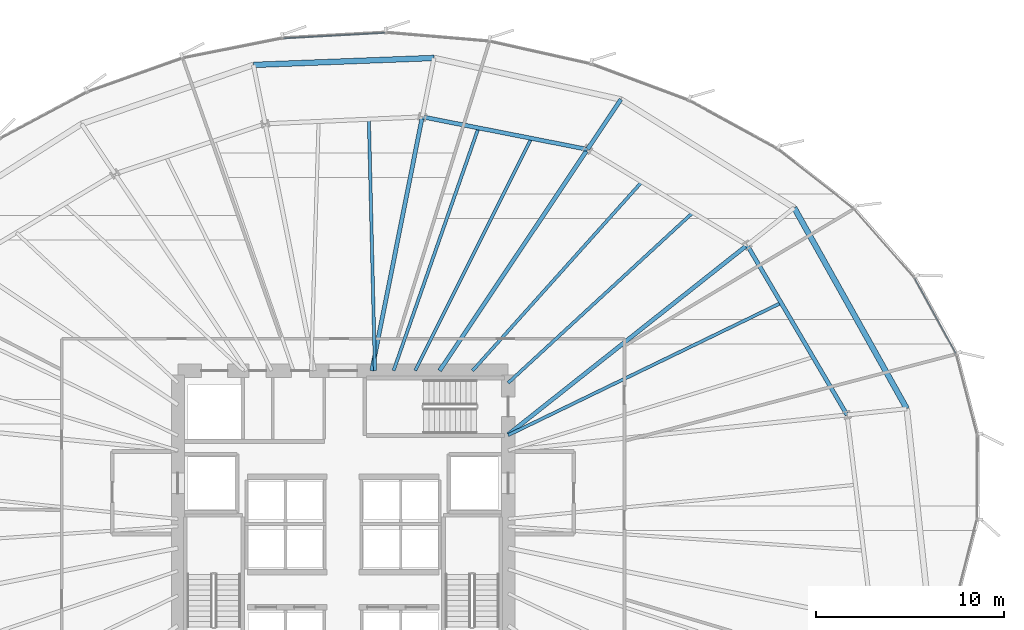
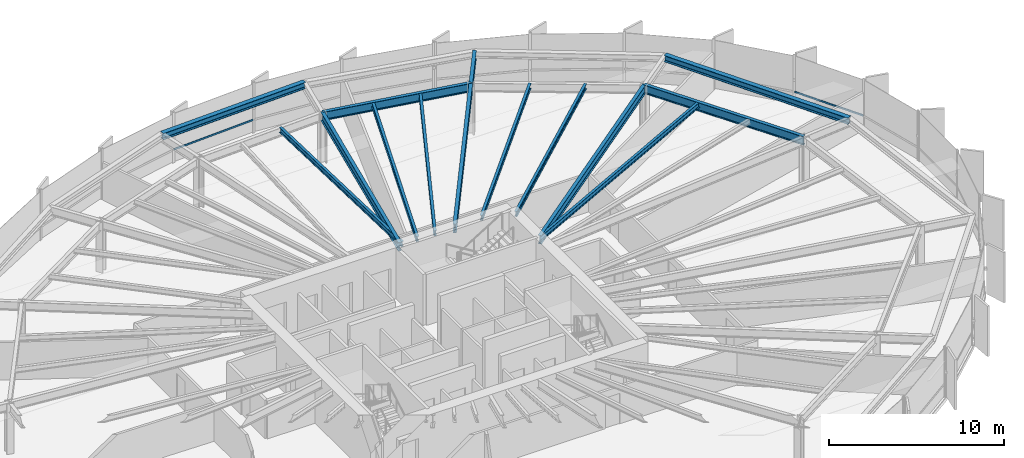
# One storey, part 22 of 37: 14 beams, 2 members, 2 elements without a shape of their own.
"""IFC4 building model written with IfcOpenShell, lengths in metres."""

from ifc_helpers import new_model, si_unit, direction, frame, origin, origin_2d, place, context, subcontext, project, spatial, hollow_rectangle, i_section, extrude, source, transform, mapped, material, layer, layer_set, material_profile, profile_set, type_object, element, aggregate, save


model = new_model("IFC4")

# Units and contexts
model_context = context("Model", 3, precision=1e-05, world=origin(), true_north=direction((0.0, 1.0)))
body_context = subcontext(model_context, "Body", "Model", "MODEL_VIEW")
ifc_project = project(units=[si_unit("LENGTHUNIT", "METRE"), si_unit("AREAUNIT", "SQUARE_METRE"), si_unit("VOLUMEUNIT", "CUBIC_METRE"), si_unit("PLANEANGLEUNIT", "RADIAN"), si_unit("MASSUNIT", "GRAM", prefix="KILO"), si_unit("THERMODYNAMICTEMPERATUREUNIT", "KELVIN")], contexts=[model_context])

# Site, building, storey
site_placement = place(None, origin())
site = spatial("IfcSite", under=ifc_project, at=site_placement, CompositionType="ELEMENT")
building_placement = place(site_placement, origin())
building = spatial("IfcBuilding", under=site, at=building_placement, Name="Kethvar Cultural Tower", CompositionType="ELEMENT")
storey_placement = place(building_placement, frame((0.0, 0.0, 60.0)))
storey = spatial("IfcBuildingStorey", under=building, at=storey_placement, Name="L14", CompositionType="ELEMENT", Elevation=60.0)

# Beams
ifc_material_1 = material(Name="Steel S355J2", Category="steel")
ifc_material_profile_1 = material_profile(ifc_material_1, i_section(OverallWidth=0.219970703125, OverallDepth=0.60009765625, WebThickness=0.011962890625, FlangeThickness=0.01904296875, FilletRadius=0.02392578125, at=origin_2d()), Name="Steel S355J2 — IPE600")
ifc_profile_set_1 = profile_set([ifc_material_profile_1], Name="Steel S355J2 — IPE600")
beam_type_1 = type_object("IfcBeamType", Name="BM-IPE600", PredefinedType="BEAM", material=ifc_profile_set_1)
shared_shape_1 = source(origin(), body_context, "Body", "SweptSolid", [
    extrude(i_section(OverallWidth=0.219970703125, OverallDepth=0.60009765625, WebThickness=0.011962890625, FlangeThickness=0.01904296875, FilletRadius=0.02392578125, at=origin_2d()), origin(), (0.0, 0.0, 1.0), 16.248779296875),
])
beam_1_placement = place(storey_placement, frame((55.60009765625, 32.10009765625, 3.248046875), z_axis=(0.783831288624, 0.620973840813, 0.0), x_axis=(-0.620973840813, 0.783831288624, 0.0)))
element("IfcBeam", 1, at=beam_1_placement, inside=storey, type_object=beam_type_1, Name="L14 Primary Radial Beam RB-02", PredefinedType="BEAM", context=body_context, shape_type="MappedRepresentation", body=[
    mapped(shared_shape_1, transform((0.0, 0.0, 0.0), scale=1.0)),
])
shared_shape_2 = source(origin(), body_context, "Body", "SweptSolid", [
    extrude(i_section(OverallWidth=0.219970703125, OverallDepth=0.60009765625, WebThickness=0.011962890625, FlangeThickness=0.01904296875, FilletRadius=0.02392578125, at=origin_2d()), origin(), (0.0, 0.0, 1.0), 14.18359375),
])
beam_2_placement = place(storey_placement, frame((51.945068359375, 35.5, 3.248046875), z_axis=(0.55556584065, 0.831472547174, 0.0), x_axis=(-0.831472547174, 0.55556584065, 0.0)))
element("IfcBeam", 2, at=beam_2_placement, inside=storey, type_object=beam_type_1, Name="L14 Primary Radial Beam RB-03", PredefinedType="BEAM", context=body_context, shape_type="MappedRepresentation", body=[
    mapped(shared_shape_2, transform((0.0, 0.0, 0.0), scale=1.0)),
])
shared_shape_3 = source(origin(), body_context, "Body", "SweptSolid", [
    extrude(i_section(OverallWidth=0.219970703125, OverallDepth=0.60009765625, WebThickness=0.011962890625, FlangeThickness=0.01904296875, FilletRadius=0.02392578125, at=origin_2d()), origin(), (0.0, 0.0, 1.0), 3.2001953125),
])
beam_3_placement = place(storey_placement, frame((59.824951171875, 47.293212890625, 3.248046875), z_axis=(0.555544970406, 0.831486491686, 0.0), x_axis=(-0.831486491686, 0.555544970406, 0.0)))
element("IfcBeam", 3, at=beam_3_placement, inside=storey, type_object=beam_type_1, Name="L14 Perimeter Cantilever Beam RC-03", PredefinedType="BEAM", context=body_context, shape_type="MappedRepresentation", body=[
    mapped(shared_shape_3, transform((0.0, 0.0, 0.0), scale=1.0)),
])
shared_shape_4 = source(origin(), body_context, "Body", "SweptSolid", [
    extrude(i_section(OverallWidth=0.219970703125, OverallDepth=0.60009765625, WebThickness=0.011962890625, FlangeThickness=0.01904296875, FilletRadius=0.02392578125, at=origin_2d()), origin(), (0.0, 0.0, 1.0), 13.791015625),
])
beam_4_placement = place(storey_placement, frame((48.33154296875, 35.5, 3.248046875), z_axis=(0.195104916429, 0.980782377281, 0.0), x_axis=(-0.980782377281, 0.195104916429, 0.0)))
element("IfcBeam", 4, at=beam_4_placement, inside=storey, type_object=beam_type_1, Name="L14 Primary Radial Beam RB-04", PredefinedType="BEAM", context=body_context, shape_type="MappedRepresentation", body=[
    mapped(shared_shape_4, transform((0.0, 0.0, 0.0), scale=1.0)),
])
shared_shape_5 = source(origin(), body_context, "Body", "SweptSolid", [
    extrude(i_section(OverallWidth=0.219970703125, OverallDepth=0.60009765625, WebThickness=0.011962890625, FlangeThickness=0.01904296875, FilletRadius=0.02392578125, at=origin_2d()), origin(), (0.0, 0.0, 1.0), 10.496337890625),
])
beam_5_placement = place(storey_placement, frame((73.65673828125, 33.14208984375, 3.248046875), z_axis=(-0.506871712474, 0.862021500366, 0.0), x_axis=(-0.862021500366, -0.506871712474, 0.0)))
element("IfcBeam", 5, at=beam_5_placement, inside=storey, type_object=beam_type_1, Name="L14 Column Ring Tie Beam CR-01", PredefinedType="BEAM", context=body_context, shape_type="MappedRepresentation", body=[
    mapped(shared_shape_5, transform((0.0, 0.0, 0.0), scale=1.0)),
])
ifc_material_profile_2 = material_profile(ifc_material_1, i_section(OverallWidth=0.169921875, OverallDepth=0.360107421875, WebThickness=0.008056640625, FlangeThickness=0.0126953125, FilletRadius=0.01806640625, at=origin_2d()), Name="Steel S355J2 — IPE360")
ifc_profile_set_2 = profile_set([ifc_material_profile_2], Name="Steel S355J2 — IPE360")
beam_type_2 = type_object("IfcBeamType", Name="BM-J360", PredefinedType="JOIST", material=ifc_profile_set_2)
shared_shape_6 = source(origin(), body_context, "Body", "SweptSolid", [
    extrude(i_section(OverallWidth=0.169921875, OverallDepth=0.360107421875, WebThickness=0.008056640625, FlangeThickness=0.0126953125, FilletRadius=0.01806640625, at=origin_2d()), origin(), (0.0, 0.0, 1.0), 16.163330078125),
])
beam_6_placement = place(storey_placement, frame((55.60009765625, 32.064697265625, 3.367919921875), z_axis=(0.899890099721, 0.436116737151, 0.0), x_axis=(-0.436116737151, 0.899890099721, 0.0)))
element("IfcBeam", 6, at=beam_6_placement, inside=storey, type_object=beam_type_2, Name="L14 Composite Floor Joist J-01B", PredefinedType="JOIST", context=body_context, shape_type="MappedRepresentation", body=[
    mapped(shared_shape_6, transform((0.0, 0.0, 0.0), scale=1.0)),
])
shared_shape_7 = source(origin(), body_context, "Body", "SweptSolid", [
    extrude(i_section(OverallWidth=0.169921875, OverallDepth=0.360107421875, WebThickness=0.008056640625, FlangeThickness=0.0126953125, FilletRadius=0.01806640625, at=origin_2d()), origin(), (0.0, 0.0, 1.0), 13.3876953125),
])
beam_7_placement = place(storey_placement, frame((55.60009765625, 34.85009765625, 3.367919921875), z_axis=(0.735175283276, 0.677877055859, 0.0), x_axis=(-0.677877055859, 0.735175283276, 0.0)))
element("IfcBeam", 7, at=beam_7_placement, inside=storey, type_object=beam_type_2, Name="L14 Composite Floor Joist J-02A", PredefinedType="JOIST", context=body_context, shape_type="MappedRepresentation", body=[
    mapped(shared_shape_7, transform((0.0, 0.0, 0.0), scale=1.0)),
])
shared_shape_8 = source(origin(), body_context, "Body", "SweptSolid", [
    extrude(i_section(OverallWidth=0.169921875, OverallDepth=0.360107421875, WebThickness=0.008056640625, FlangeThickness=0.0126953125, FilletRadius=0.01806640625, at=origin_2d()), origin(), (0.0, 0.0, 1.0), 13.508056640625),
])
beam_8_placement = place(storey_placement, frame((53.702392578125, 35.5, 3.367919921875), z_axis=(0.667503553274, 0.744606611821, 0.0), x_axis=(-0.744606611821, 0.667503553274, 0.0)))
element("IfcBeam", 8, at=beam_8_placement, inside=storey, type_object=beam_type_2, Name="L14 Composite Floor Joist J-02B", PredefinedType="JOIST", context=body_context, shape_type="MappedRepresentation", body=[
    mapped(shared_shape_8, transform((0.0, 0.0, 0.0), scale=1.0)),
])
shared_shape_9 = source(origin(), body_context, "Body", "SweptSolid", [
    extrude(i_section(OverallWidth=0.219970703125, OverallDepth=0.60009765625, WebThickness=0.011962890625, FlangeThickness=0.01904296875, FilletRadius=0.02392578125, at=origin_2d()), origin(), (0.0, 0.0, 1.0), 8.9716796875),
])
beam_9_placement = place(storey_placement, frame((59.824951171875, 47.293212890625, 3.248046875), z_axis=(-0.981173751046, 0.193127083181, 0.0), x_axis=(-0.193127083181, -0.981173751046, 0.0)))
element("IfcBeam", 9, at=beam_9_placement, inside=storey, type_object=beam_type_1, Name="L14 Column Ring Tie Beam CR-03", PredefinedType="BEAM", context=body_context, shape_type="MappedRepresentation", body=[
    mapped(shared_shape_9, transform((0.0, 0.0, 0.0), scale=1.0)),
])
shared_shape_10 = source(origin(), body_context, "Body", "SweptSolid", [
    extrude(i_section(OverallWidth=0.169921875, OverallDepth=0.360107421875, WebThickness=0.008056640625, FlangeThickness=0.0126953125, FilletRadius=0.01806640625, at=origin_2d()), origin(), (0.0, 0.0, 1.0), 13.84130859375),
])
beam_10_placement = place(storey_placement, frame((50.646484375, 35.5, 3.367919921875), z_axis=(0.446889017672, 0.894589406311, 0.0), x_axis=(-0.894589406311, 0.446889017672, 0.0)))
element("IfcBeam", 10, at=beam_10_placement, inside=storey, type_object=beam_type_2, Name="L14 Composite Floor Joist J-03A", PredefinedType="JOIST", context=body_context, shape_type="MappedRepresentation", body=[
    mapped(shared_shape_10, transform((0.0, 0.0, 0.0), scale=1.0)),
])
shared_shape_11 = source(origin(), body_context, "Body", "SweptSolid", [
    extrude(i_section(OverallWidth=0.169921875, OverallDepth=0.360107421875, WebThickness=0.008056640625, FlangeThickness=0.0126953125, FilletRadius=0.01806640625, at=origin_2d()), origin(), (0.0, 0.0, 1.0), 13.70458984375),
])
beam_11_placement = place(storey_placement, frame((49.4921875, 35.5, 3.367919921875), z_axis=(0.330030618422, 0.943970227764, 0.0), x_axis=(-0.943970227764, 0.330030618422, 0.0)))
element("IfcBeam", 11, at=beam_11_placement, inside=storey, type_object=beam_type_2, Name="L14 Composite Floor Joist J-03B", PredefinedType="JOIST", context=body_context, shape_type="MappedRepresentation", body=[
    mapped(shared_shape_11, transform((0.0, 0.0, 0.0), scale=1.0)),
])
ifc_material_profile_3 = material_profile(ifc_material_1, i_section(OverallWidth=0.300048828125, OverallDepth=0.449951171875, WebThickness=0.013916015625, FlangeThickness=0.02587890625, FilletRadius=0.027099609375, at=origin_2d()), Name="Steel S355J2 — HEB450")
ifc_profile_set_3 = profile_set([ifc_material_profile_3], Name="Steel S355J2 — HEB450")
beam_type_3 = type_object("IfcBeamType", Name="BM-SP450", PredefinedType="SPANDREL", material=ifc_profile_set_3)
shared_shape_12 = source(origin(), body_context, "Body", "SweptSolid", [
    extrude(i_section(OverallWidth=0.300048828125, OverallDepth=0.449951171875, WebThickness=0.013916015625, FlangeThickness=0.02587890625, FilletRadius=0.027099609375, at=origin_2d()), origin(), (0.0, 0.0, 1.0), 9.62646484375),
])
beam_12_placement = place(storey_placement, frame((51.646484375, 52.164306640625, 3.322998046875), z_axis=(-0.999260612605, -0.038447732004, 0.0), x_axis=(0.038447732004, -0.999260612605, 0.0)))
element("IfcBeam", 12, at=beam_12_placement, inside=storey, type_object=beam_type_3, Name="L14 Perimeter Spandrel Beam SP-04", PredefinedType="SPANDREL", context=body_context, shape_type="MappedRepresentation", body=[
    mapped(shared_shape_12, transform((0.0, 0.0, 0.0), scale=1.0)),
])
shared_shape_13 = source(origin(), body_context, "Body", "SweptSolid", [
    extrude(i_section(OverallWidth=0.169921875, OverallDepth=0.360107421875, WebThickness=0.008056640625, FlangeThickness=0.0126953125, FilletRadius=0.01806640625, at=origin_2d()), origin(), (0.0, 0.0, 1.0), 13.40380859375),
])
beam_13_placement = place(storey_placement, frame((48.5, 35.5, 3.367919921875), z_axis=(-0.024170322554, 0.999707855079, 0.0), x_axis=(-0.999707855079, -0.024170322554, 0.0)))
element("IfcBeam", 13, at=beam_13_placement, inside=storey, type_object=beam_type_2, Name="L14 Composite Floor Joist J-04A", PredefinedType="JOIST", context=body_context, shape_type="MappedRepresentation", body=[
    mapped(shared_shape_13, transform((0.0, 0.0, 0.0), scale=1.0)),
])
shared_shape_14 = source(origin(), body_context, "Body", "SweptSolid", [
    extrude(i_section(OverallWidth=0.300048828125, OverallDepth=0.449951171875, WebThickness=0.013916015625, FlangeThickness=0.02587890625, FilletRadius=0.027099609375, at=origin_2d()), origin(), (0.0, 0.0, 1.0), 12.266357421875),
])
beam_14_placement = place(storey_placement, frame((76.83935546875, 33.4755859375, 3.322998046875), z_axis=(-0.488708822027, 0.872446953845, 0.0), x_axis=(-0.872446953845, -0.488708822027, 0.0)))
element("IfcBeam", 14, at=beam_14_placement, inside=storey, type_object=beam_type_3, Name="L14 Perimeter Spandrel Beam SP-01", PredefinedType="SPANDREL", context=body_context, shape_type="MappedRepresentation", body=[
    mapped(shared_shape_14, transform((0.0, 0.0, 0.0), scale=1.0)),
])

# Curtain wall, member
ifc_material_2 = material(Name="Aluminium 6063-T6", Category="aluminium")
ifc_layer = layer(ifc_material_2, 0.179931640625, Name="Aluminium 6063-T6", Category="aluminium")
ifc_layer_set = layer_set([ifc_layer], Name="Aluminium 6063-T6 (180 mm)")
curtain_wall_type = type_object("IfcCurtainWallType", Name="CW-SYS-02-Z1", PredefinedType="NOTDEFINED", material=ifc_layer_set)
curtain_wall_1_placement = place(storey_placement, origin())
curtain_wall_1 = element("IfcCurtainWall", 15, at=curtain_wall_1_placement, inside=storey, type_object=curtain_wall_type, Name="L14 Curtain Wall Run 01", PredefinedType="NOTDEFINED")
ifc_material_profile_4 = material_profile(ifc_material_2, hollow_rectangle(XDim=0.054931640625, YDim=0.1201171875, WallThickness=0.00390625, at=origin_2d()), Name="Aluminium 6063-T6 — RHS120x55x4")
ifc_profile_set_4 = profile_set([ifc_material_profile_4], Name="Aluminium 6063-T6 — RHS120x55x4")
member_type = type_object("IfcMemberType", Name="CW-SYS-02-Z1-TRN", PredefinedType="USERDEFINED", material=ifc_profile_set_4)
shared_shape_15 = source(origin(), body_context, "Body", "SweptSolid", [
    extrude(hollow_rectangle(XDim=0.054931640625, YDim=0.1201171875, WallThickness=0.00390625, at=origin_2d()), origin(), (0.0, 0.0, 1.0), 4.565185546875),
])
member_1_placement = place(storey_placement, frame((79.451904296875, 36.427734375, 0.949951171875), z_axis=(-0.481573822356, 0.876405530346, 0.0), x_axis=(-0.876405530346, -0.481573822356, 0.0)))
member_1 = element("IfcMember", 16, at=member_1_placement, type_object=member_type, Name="CW-L14-R01 Transom 2", ObjectType="TRANSOM", PredefinedType="USERDEFINED", context=body_context, shape_type="MappedRepresentation", body=[
    mapped(shared_shape_15, transform((0.0, 0.0, 0.0), scale=1.0)),
])
aggregate(curtain_wall_1, [member_1])

curtain_wall_2_placement = place(storey_placement, origin())
curtain_wall_2 = element("IfcCurtainWall", 17, at=curtain_wall_2_placement, inside=storey, type_object=curtain_wall_type, Name="L14 Curtain Wall Run 02", PredefinedType="NOTDEFINED")
shared_shape_16 = source(origin(), body_context, "Body", "SweptSolid", [
    extrude(hollow_rectangle(XDim=0.054931640625, YDim=0.1201171875, WallThickness=0.00390625, at=origin_2d()), origin(), (0.0, 0.0, 1.0), 5.40576171875),
])
member_2_placement = place(storey_placement, frame((49.026123046875, 53.504150390625, 0.949951171875), z_axis=(-0.998515573956, -0.054466949305, 0.0), x_axis=(0.054466949305, -0.998515573956, 0.0)))
member_2 = element("IfcMember", 18, at=member_2_placement, type_object=member_type, Name="CW-L14-R02 Transom 3", ObjectType="TRANSOM", PredefinedType="USERDEFINED", context=body_context, shape_type="MappedRepresentation", body=[
    mapped(shared_shape_16, transform((0.0, 0.0, 0.0), scale=1.0)),
])
aggregate(curtain_wall_2, [member_2])

save(model, "model.ifc")
